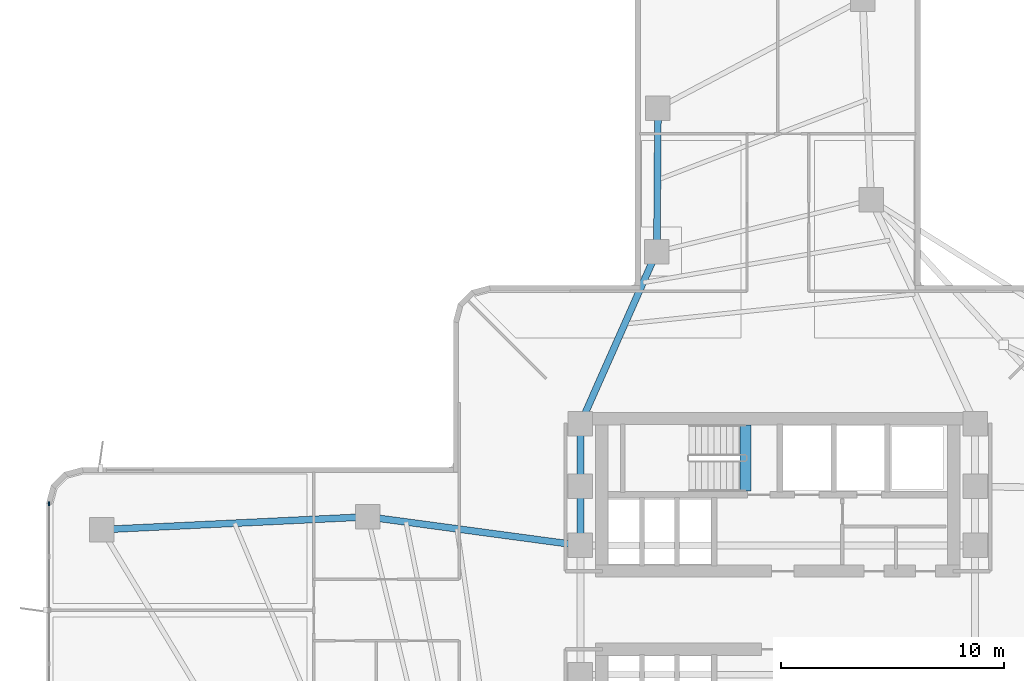
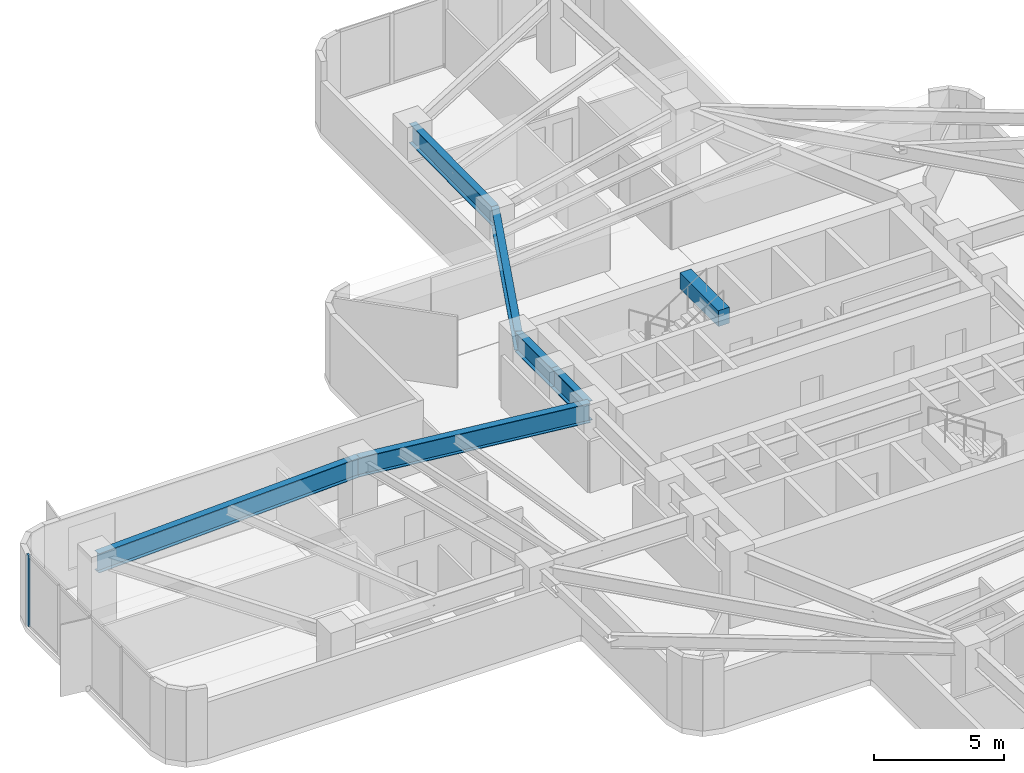
# One storey, part 4 of 14: 7 beams, 1 member, 1 element without a shape of its own.
"""IFC4 building model written with IfcOpenShell, lengths in metres."""

from ifc_helpers import new_model, si_unit, direction, frame, origin, origin_2d, place, context, subcontext, project, spatial, rectangle, i_section, extrude, material, layer, layer_set, material_profile, profile_set, type_object, element, aggregate, save


model = new_model("IFC4")

# Units and contexts
model_context = context("Model", 3, precision=1e-05, world=origin(), true_north=direction((0.0, 1.0)))
body_context = subcontext(model_context, "Body", "Model", "MODEL_VIEW")
ifc_project = project(units=[si_unit("LENGTHUNIT", "METRE"), si_unit("AREAUNIT", "SQUARE_METRE"), si_unit("VOLUMEUNIT", "CUBIC_METRE"), si_unit("PLANEANGLEUNIT", "RADIAN"), si_unit("MASSUNIT", "GRAM", prefix="KILO")], contexts=[model_context])

# Site, building, storey
site_placement = place(None, origin())
site = spatial("IfcSite", under=ifc_project, at=site_placement, CompositionType="ELEMENT")
building_placement = place(site_placement, origin())
building = spatial("IfcBuilding", under=site, at=building_placement, Name="Solmarez Civic Tower", CompositionType="ELEMENT")
storey_placement = place(building_placement, frame((0.0, 0.0, 31.679931640625)))
storey = spatial("IfcBuildingStorey", under=building, at=storey_placement, Name="L07", CompositionType="ELEMENT", Elevation=31.679931640625)

# Beams
ifc_material_1 = material(Name="Concrete C50/60", Category="concrete")
ifc_material_profile_1 = material_profile(ifc_material_1, rectangle(XDim=0.5, YDim=0.75, at=origin_2d()), Name="RC500X750")
ifc_profile_set_1 = profile_set([ifc_material_profile_1], Name="Concrete C50/60")
beam_type_1 = type_object("IfcBeamType", Name="BM-PR-RC500X750", PredefinedType="BEAM", material=ifc_profile_set_1)
beam_1_placement = place(storey_placement, frame((-1.449951171875, 5.340087890625, 3.233154296875), z_axis=(0.0, 1.0, 0.0), x_axis=(-1.0, 0.0, 0.0)))
element("IfcBeam", 1, at=beam_1_placement, inside=storey, type_object=beam_type_1, Name="L07 North Stair Threshold Beam", PredefinedType="BEAM", context=body_context, shape_type="SweptSolid", body=[
    extrude(rectangle(XDim=0.5, YDim=0.75, at=origin_2d()), origin(), (0.0, 0.0, 1.0), 2.9599609375),
])
ifc_material_2 = material(Name="Steel S355", Category="steel")
ifc_material_profile_2 = material_profile(ifc_material_2, i_section(OverallWidth=0.303955078125, OverallDepth=0.910888671875, WebThickness=0.015869140625, FlangeThickness=0.02392578125, at=origin_2d()), Name="W36X150")
ifc_profile_set_2 = profile_set([ifc_material_profile_2], Name="Steel S355")
beam_type_2 = type_object("IfcBeamType", Name="BM-PR-W36X150", PredefinedType="BEAM", material=ifc_profile_set_2)
beam_2_placement = place(storey_placement, frame((-8.85009765625, 8.35009765625, 2.885009765625), z_axis=(0.405693556952, 0.914009156326, 0.0), x_axis=(-0.914009156326, 0.405693556952, 0.0)))
element("IfcBeam", 2, at=beam_2_placement, inside=storey, type_object=beam_type_2, Name="L07 Primary Floor Beam BM-L07-NA-R1B", PredefinedType="BEAM", context=body_context, shape_type="SweptSolid", body=[
    extrude(i_section(OverallWidth=0.303955078125, OverallDepth=0.910888671875, WebThickness=0.015869140625, FlangeThickness=0.02392578125, at=origin_2d()), origin(), (0.0, 0.0, 1.0), 8.45263671875),
])
beam_3_placement = place(storey_placement, frame((-5.4208984375, 16.075927734375, 2.885009765625), z_axis=(0.007592219108, 0.999971178689, 0.0), x_axis=(-0.999971178689, 0.007592219108, 0.0)))
element("IfcBeam", 3, at=beam_3_placement, inside=storey, type_object=beam_type_2, Name="L07 Primary Floor Beam BM-L07-NA-R2B", PredefinedType="BEAM", context=body_context, shape_type="SweptSolid", body=[
    extrude(i_section(OverallWidth=0.303955078125, OverallDepth=0.910888671875, WebThickness=0.015869140625, FlangeThickness=0.02392578125, at=origin_2d()), origin(), (0.0, 0.0, 1.0), 6.431396484375),
])
beam_4_placement = place(storey_placement, frame((-8.85009765625, 2.89990234375, 2.885009765625), z_axis=(-0.991063240718, 0.133392851745, 0.0), x_axis=(-0.133392851745, -0.991063240718, 0.0)))
element("IfcBeam", 4, at=beam_4_placement, inside=storey, type_object=beam_type_2, Name="L07 Primary Floor Beam BM-L07-WA-R1A", PredefinedType="BEAM", context=body_context, shape_type="SweptSolid", body=[
    extrude(i_section(OverallWidth=0.303955078125, OverallDepth=0.910888671875, WebThickness=0.015869140625, FlangeThickness=0.02392578125, at=origin_2d()), origin(), (0.0, 0.0, 1.0), 9.626953125),
])
beam_5_placement = place(storey_placement, frame((-18.39111328125, 4.18408203125, 2.885009765625), z_axis=(-0.998839135977, -0.048170327398, 0.0), x_axis=(0.048170327398, -0.998839135977, 0.0)))
element("IfcBeam", 5, at=beam_5_placement, inside=storey, type_object=beam_type_2, Name="L07 Primary Floor Beam BM-L07-WA-R2A", PredefinedType="BEAM", context=body_context, shape_type="SweptSolid", body=[
    extrude(i_section(OverallWidth=0.303955078125, OverallDepth=0.910888671875, WebThickness=0.015869140625, FlangeThickness=0.02392578125, at=origin_2d()), origin(), (0.0, 0.0, 1.0), 11.94091796875),
])
ifc_material_profile_3 = material_profile(ifc_material_2, i_section(OverallWidth=0.306884765625, OverallDepth=0.927001953125, WebThickness=0.019287109375, FlangeThickness=0.031982421875, at=origin_2d()), Name="W36X194")
ifc_profile_set_3 = profile_set([ifc_material_profile_3], Name="Steel S355")
beam_type_3 = type_object("IfcBeamType", Name="BM-PR-W36X194", PredefinedType="BEAM", material=ifc_profile_set_3)
beam_6_placement = place(storey_placement, frame((-8.85009765625, 2.89990234375, 2.8759765625), z_axis=(0.0, 1.0, 0.0), x_axis=(-1.0, 0.0, 0.0)))
element("IfcBeam", 6, at=beam_6_placement, inside=storey, type_object=beam_type_3, Name="L07 Primary Floor Beam BM-L07-HC3-HC4", PredefinedType="BEAM", context=body_context, shape_type="SweptSolid", body=[
    extrude(i_section(OverallWidth=0.306884765625, OverallDepth=0.927001953125, WebThickness=0.019287109375, FlangeThickness=0.031982421875, at=origin_2d()), origin(), (0.0, 0.0, 1.0), 2.650146484375),
])
beam_7_placement = place(storey_placement, frame((-8.85009765625, 5.550048828125, 2.8759765625), z_axis=(0.0, 1.0, 0.0), x_axis=(-1.0, 0.0, 0.0)))
element("IfcBeam", 7, at=beam_7_placement, inside=storey, type_object=beam_type_3, Name="L07 Primary Floor Beam BM-L07-HC4-HC9", PredefinedType="BEAM", context=body_context, shape_type="SweptSolid", body=[
    extrude(i_section(OverallWidth=0.306884765625, OverallDepth=0.927001953125, WebThickness=0.019287109375, FlangeThickness=0.031982421875, at=origin_2d()), origin(), (0.0, 0.0, 1.0), 2.800048828125),
])

# Curtain wall, member
ifc_material_3 = material(Name="Bronze Anodised Aluminium EN AW-6063 T6", Category="aluminium")
ifc_layer = layer(ifc_material_3, 0.18505859375)
ifc_layer_set = layer_set([ifc_layer], Name="Bronze Anodised Aluminium EN AW-6063 T6")
curtain_wall_type = type_object("IfcCurtainWallType", Name="CW-SYS-2", PredefinedType="NOTDEFINED", material=ifc_layer_set)
curtain_wall_placement = place(storey_placement, origin())
curtain_wall = element("IfcCurtainWall", 8, at=curtain_wall_placement, inside=storey, type_object=curtain_wall_type, Name="L07 Stick-Built Curtain Wall 1", PredefinedType="NOTDEFINED")
ifc_material_profile_4 = material_profile(ifc_material_3, rectangle(XDim=0.070068359375, YDim=0.179931640625, at=origin_2d()), Name="CWM-70X180")
ifc_profile_set_4 = profile_set([ifc_material_profile_4], Name="Bronze Anodised Aluminium EN AW-6063 T6")
member_type = type_object("IfcMemberType", Name="CWM-TYPE-2", PredefinedType="MULLION", material=ifc_profile_set_4)
member_placement = place(storey_placement, frame((-32.679931640625, 4.77392578125, 0.0), z_axis=(0.0, 0.0, 1.0), x_axis=(-1.0, 0.0, 0.0)))
member = element("IfcMember", 9, at=member_placement, type_object=member_type, Name="CWS2 mullion 5", PredefinedType="MULLION", context=body_context, shape_type="SweptSolid", body=[
    extrude(rectangle(XDim=0.070068359375, YDim=0.179931640625, at=origin_2d()), origin(), (0.0, 0.0, 1.0), 3.340087890625),
])
aggregate(curtain_wall, [member])

save(model, "model.ifc")
